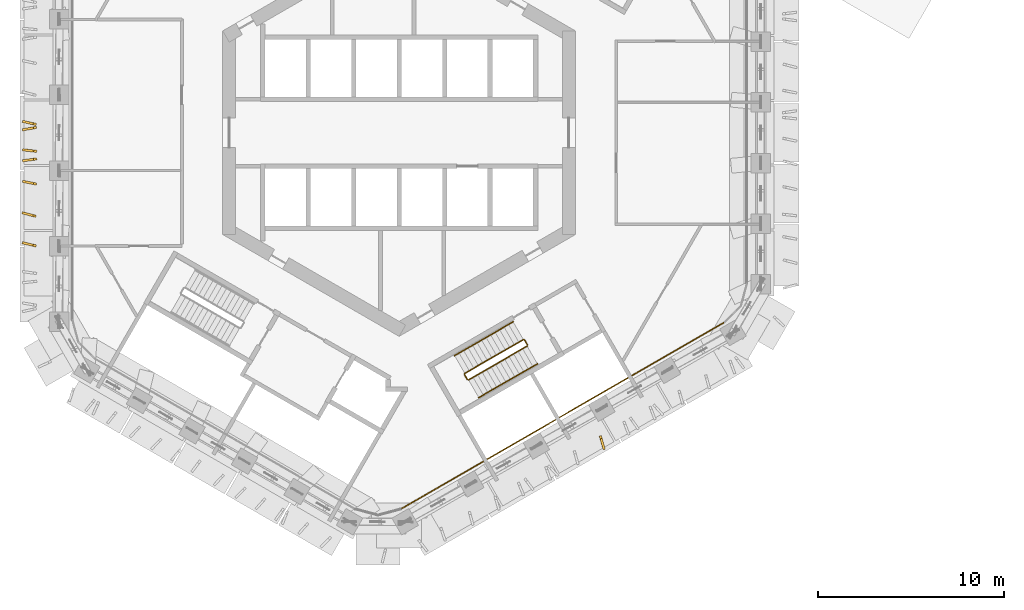
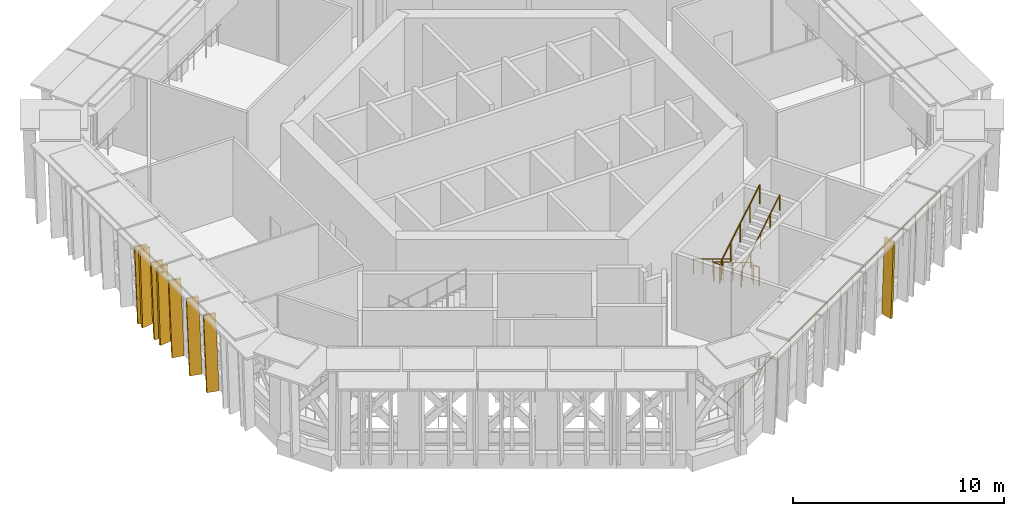
# One storey, part 15 of 18: 9 railings, 8 shading devices.
"""IFC4 building model written with IfcOpenShell, lengths in metres."""

from ifc_helpers import new_model, si_unit, direction, frame, origin, origin_2d, place, context, subcontext, project, spatial, polyline, circle, outline, extrude, material, layer, layer_set, type_object, element, save


model = new_model("IFC4")

# Units and contexts
model_context = context("Model", 3, precision=1e-05, world=origin(), true_north=direction((0.0, 1.0)))
body_context = subcontext(model_context, "Body", "Model", "MODEL_VIEW")
ifc_project = project(units=[si_unit("LENGTHUNIT", "METRE"), si_unit("AREAUNIT", "SQUARE_METRE"), si_unit("VOLUMEUNIT", "CUBIC_METRE"), si_unit("PLANEANGLEUNIT", "RADIAN"), si_unit("MASSUNIT", "GRAM", prefix="KILO")], contexts=[model_context])

# Site, building, storey
site_placement = place(None, origin())
site = spatial("IfcSite", under=ifc_project, at=site_placement, CompositionType="ELEMENT")
building_placement = place(site_placement, origin())
building = spatial("IfcBuilding", under=site, at=building_placement, Name="Ayvan Gate Tower", CompositionType="ELEMENT")
storey_placement = place(building_placement, frame((0.0, 0.0, 147.89990234375)))
storey = spatial("IfcBuildingStorey", under=building, at=storey_placement, Name="L39", CompositionType="ELEMENT", Elevation=147.89990234375)

# Shading devices
ifc_material_1 = material(Name="Bronze anodised aluminium", Category="aluminium")
ifc_layer = layer(ifc_material_1, 0.1201171875)
ifc_layer_set = layer_set([ifc_layer], Name="Bronze anodised aluminium")
shading_device_type = type_object("IfcShadingDeviceType", Name="Bronze fin 600 x 120", PredefinedType="USERDEFINED", material=ifc_layer_set)
shading_device_1_placement = place(storey_placement, frame((-19.534423828125, 0.504638671875, 0.0), z_axis=(0.220548106132, 0.975376033947, 0.000353953635), x_axis=(-0.975376095046, 0.220548119948, 0.0)))
element("IfcShadingDevice", 1, at=shading_device_1_placement, inside=storey, type_object=shading_device_type, Name="Bronze fin FG14.3.38", ObjectType="FIN", PredefinedType="USERDEFINED", context=body_context, shape_type="SweptSolid", body=[
    extrude(outline(polyline([(0.0, 0.0), (0.5999789015716179, -6.776263578034403e-21), (0.7653200529566501, 4.500000281887172), (0.16534115138503205, 4.500000281887172), (0.0, 0.0)])), origin(), (0.0, 0.0, -1.0), 0.1201171875),
])
shading_device_2_placement = place(storey_placement, frame((-19.5419921875, 0.347900390625, 0.0), z_axis=(-0.172903331996, 0.984938745323, 0.000325186988), x_axis=(-0.9849387974, -0.172903341138, 0.0)))
element("IfcShadingDevice", 2, at=shading_device_2_placement, inside=storey, type_object=shading_device_type, Name="Bronze fin FG14.3.39", ObjectType="FIN", PredefinedType="USERDEFINED", context=body_context, shape_type="SweptSolid", body=[
    extrude(outline(polyline([(0.0, 0.0), (0.600102721798952, 6.776263578034403e-21), (0.7654436275675613, 4.500000237929818), (0.16534090576860944, 4.500000237929818), (0.0, 0.0)])), origin(), (0.0, 0.0, -1.0), 0.1201171875),
])
shading_device_3_placement = place(storey_placement, frame((-19.510498046875, -0.9453125, 0.0), z_axis=(0.113110523232, 0.993582365945, 0.000302681974), x_axis=(-0.99358241146, 0.113110528414, 0.0)))
element("IfcShadingDevice", 3, at=shading_device_3_placement, inside=storey, type_object=shading_device_type, Name="Bronze fin FG14.3.40", ObjectType="FIN", PredefinedType="USERDEFINED", context=body_context, shape_type="SweptSolid", body=[
    extrude(outline(polyline([(0.0, 0.0), (0.6000422303914733, 0.0), (0.7652550747346661, 4.500000206136864), (0.16521284434319294, 4.500000206136864), (0.0, 0.0)])), origin(), (0.0, 0.0, -1.0), 0.1201171875),
])
shading_device_4_placement = place(storey_placement, frame((-19.529296875, -1.349365234375, 0.0), z_axis=(-0.132643426427, 0.991163763118, 0.000340745744), x_axis=(-0.991163820659, -0.132643434128, 0.0)))
element("IfcShadingDevice", 4, at=shading_device_4_placement, inside=storey, type_object=shading_device_type, Name="Bronze fin FG14.3.41", ObjectType="FIN", PredefinedType="USERDEFINED", context=body_context, shape_type="SweptSolid", body=[
    extrude(outline(polyline([(0.0, 0.0), (0.6000285221314199, -3.3881317890172014e-21), (0.7652662002363045, 4.500000261242263), (0.1652376781048846, 4.500000261242263), (0.0, 0.0)])), origin(), (0.0, 0.0, -1.0), 0.1201171875),
])
shading_device_5_placement = place(storey_placement, frame((-19.525390625, -2.70458984375, 0.0), z_axis=(0.18942086988, 0.981895937746, 0.000318578937), x_axis=(-0.981895987577, 0.189420879473, 6.3647e-08)))
element("IfcShadingDevice", 5, at=shading_device_5_placement, inside=storey, type_object=shading_device_type, Name="Bronze fin FG14.3.42", ObjectType="FIN", PredefinedType="USERDEFINED", context=body_context, shape_type="SweptSolid", body=[
    extrude(outline(polyline([(0.0, 0.0), (0.5999501286567561, 0.0), (0.7652925771532262, 4.500000179649718), (0.1652962031645675, 4.500000256022627), (0.0, 0.0)])), origin(), (0.0, 0.0, -1.0), 0.1201171875),
])
shading_device_6_placement = place(storey_placement, frame((-19.546630859375, -4.44677734375, 0.0), z_axis=(0.2555346374, 0.966799838315, 0.000348886923), x_axis=(-0.966799897156, 0.255534652952, 0.0)))
element("IfcShadingDevice", 6, at=shading_device_6_placement, inside=storey, type_object=shading_device_type, Name="Bronze fin FG14.3.44", ObjectType="FIN", PredefinedType="USERDEFINED", context=body_context, shape_type="SweptSolid", body=[
    extrude(outline(polyline([(0.0, 0.0), (0.5999981244375797, 0.0), (0.7654917327077029, 4.500000273874717), (0.16549360827012324, 4.500000273874717), (0.0, 0.0)])), origin(), (0.0, 0.0, -1.0), 0.1201171875),
])
shading_device_7_placement = place(storey_placement, frame((-19.5390625, -6.0419921875, 0.0), z_axis=(0.234388585469, 0.972142935219, 0.000323274594), x_axis=(-0.972142986016, 0.234388597717, 0.0)))
element("IfcShadingDevice", 7, at=shading_device_7_placement, inside=storey, type_object=shading_device_type, Name="Bronze fin FG14.3.46", ObjectType="FIN", PredefinedType="USERDEFINED", context=body_context, shape_type="SweptSolid", body=[
    extrude(outline(polyline([(0.0, 0.0), (0.5999651918646007, 6.776263578034403e-21), (0.765364563500664, 4.500000235139561), (0.16539937163606316, 4.500000235139561), (0.0, 0.0)])), origin(), (0.0, 0.0, -1.0), 0.1201171875),
])
shading_device_8_placement = place(storey_placement, frame((10.779541015625, -16.341796875, 0.0), z_axis=(-0.961661951625, -0.274237425596, 0.000353835004), x_axis=(0.27423744277, -0.961662011823, 1.9745e-08)))
element("IfcShadingDevice", 8, at=shading_device_8_placement, inside=storey, type_object=shading_device_type, Name="Bronze fin FG14.7.92", ObjectType="FIN", PredefinedType="USERDEFINED", context=body_context, shape_type="SweptSolid", body=[
    extrude(outline(polyline([(0.0, 0.0), (0.5999129322178046, -1.3552527156068805e-20), (0.7653753981919099, 4.500000266586183), (0.1652276852095, 4.5000002902809575), (0.0, 0.0)])), origin(), (0.0, 0.0, -1.0), 0.1201171875),
])

# Railings
ifc_material_2 = material(Name="Stainless steel balustrade", Category="steel")
railing_type_1 = type_object("IfcRailingType", Name="RL-GUARD-1100", PredefinedType="GUARDRAIL", material=ifc_material_2)
railing_1_placement = place(storey_placement, frame((6.6923828125, -11.1416015625, 0.171630859375)))
element("IfcRailing", 9, at=railing_1_placement, inside=storey, type_object=railing_type_1, Name="L39 STS3 stair guard 1", PredefinedType="GUARDRAIL", context=body_context, shape_type="SweptSolid", body=[
    extrude(circle(Radius=0.02392578125, at=origin_2d()), frame((0.0, 0.0, 1.076171875), z_axis=(-0.738610110021, -0.426394033464, 0.52215250033), x_axis=(0.499962438169, -0.866047089031, 0.0)), (0.0, 0.0, 1.0), 4.267822265625),
    extrude(circle(Radius=0.02099609375, at=origin_2d()), origin(), (0.0, 0.0, 1.0), 1.052001953125),
    extrude(circle(Radius=0.02099609375, at=origin_2d()), frame((-0.7880859375, -0.455078125, 0.55712890625)), (0.0, 0.0, 1.0), 1.052001953125),
    extrude(circle(Radius=0.02099609375, at=origin_2d()), frame((-1.576171875, -0.909912109375, 1.1142578125)), (0.0, 0.0, 1.0), 1.052001953125),
    extrude(circle(Radius=0.02099609375, at=origin_2d()), frame((-2.3642578125, -1.36474609375, 1.67138671875)), (0.0, 0.0, 1.0), 1.052001953125),
    extrude(circle(Radius=0.02099609375, at=origin_2d()), frame((-3.15234375, -1.81982421875, 2.228515625)), (0.0, 0.0, 1.0), 1.052001953125),
])
railing_2_placement = place(storey_placement, frame((3.521728515625, -13.02978515625, 2.400146484375)))
element("IfcRailing", 10, at=railing_2_placement, inside=storey, type_object=railing_type_1, Name="L39 STS3 stair guard 2", PredefinedType="GUARDRAIL", context=body_context, shape_type="SweptSolid", body=[
    extrude(circle(Radius=0.02392578125, at=origin_2d()), frame((0.0, 0.0, 1.076171875), z_axis=(0.499949632511, -0.866054481515, 0.0), x_axis=(0.866054481515, 0.499949632511, 0.0)), (0.0, 0.0, 1.0), 0.31005859375),
    extrude(circle(Radius=0.02099609375, at=origin_2d()), origin(), (0.0, 0.0, 1.0), 1.052001953125),
    extrude(circle(Radius=0.02099609375, at=origin_2d()), frame((0.155029296875, -0.2685546875, 0.0)), (0.0, 0.0, 1.0), 1.052001953125),
])
railing_3_placement = place(storey_placement, frame((3.7451171875, -13.316650390625, 2.571533203125)))
element("IfcRailing", 11, at=railing_3_placement, inside=storey, type_object=railing_type_1, Name="L39 STS3 stair guard 3", PredefinedType="GUARDRAIL", context=body_context, shape_type="SweptSolid", body=[
    extrude(circle(Radius=0.02392578125, at=origin_2d()), frame((0.0, 0.0, 1.076171875), z_axis=(0.738592093898, 0.426440834883, 0.522139764025), x_axis=(-0.500012742938, 0.866018046521, 0.0)), (0.0, 0.0, 1.0), 4.26806640625),
    extrude(circle(Radius=0.02099609375, at=origin_2d()), origin(), (0.0, 0.0, 1.0), 1.052001953125),
    extrude(circle(Radius=0.02099609375, at=origin_2d()), frame((0.7880859375, 0.455078125, 0.55712890625)), (0.0, 0.0, 1.0), 1.052001953125),
    extrude(circle(Radius=0.02099609375, at=origin_2d()), frame((1.576171875, 0.91015625, 1.1142578125)), (0.0, 0.0, 1.0), 1.052001953125),
    extrude(circle(Radius=0.02099609375, at=origin_2d()), frame((2.3642578125, 1.364990234375, 1.67138671875)), (0.0, 0.0, 1.0), 1.052001953125),
    extrude(circle(Radius=0.02099609375, at=origin_2d()), frame((3.15234375, 1.820068359375, 2.228515625)), (0.0, 0.0, 1.0), 1.052001953125),
])
railing_4_placement = place(storey_placement, frame((6.7607421875, -11.159912109375, 0.0)))
element("IfcRailing", 12, at=railing_4_placement, inside=storey, type_object=railing_type_1, Name="L39 STS3 stair guard 4", PredefinedType="GUARDRAIL", context=body_context, shape_type="SweptSolid", body=[
    extrude(circle(Radius=0.02392578125, at=origin_2d()), frame((0.0, 0.0, 1.076171875), z_axis=(0.500290723946, -0.86585748916, 0.0), x_axis=(0.86585748916, 0.500290723946, 0.0)), (0.0, 0.0, 1.0), 0.309814453125),
    extrude(circle(Radius=0.02099609375, at=origin_2d()), origin(), (0.0, 0.0, 1.0), 1.052001953125),
    extrude(circle(Radius=0.02099609375, at=origin_2d()), frame((0.155029296875, -0.268310546875, 0.0)), (0.0, 0.0, 1.0), 1.052001953125),
])
railing_type_2 = type_object("IfcRailingType", Name="RL-HANDRAIL-900", PredefinedType="HANDRAIL", material=ifc_material_2)
for number, where, name in (
    (13, (6.142333984375, -10.18896484375, 0.171630859375), "L39 STS3 stair handrail 1"),
    (14, (4.566162109375, -11.098876953125, 1.285888671875), "L39 STS3 stair handrail 2"),
):
    element("IfcRailing", number, at=place(storey_placement, frame(where)), inside=storey, type_object=railing_type_2, Name=name, PredefinedType="HANDRAIL", context=body_context, shape_type="SweptSolid", body=[
        extrude(circle(Radius=0.02392578125, at=origin_2d()), frame((0.0, 0.0, 0.8759765625), z_axis=(-0.738610110021, -0.426394033464, 0.52215250033), x_axis=(0.499962438169, -0.866047089031, 0.0)), (0.0, 0.0, 1.0), 2.134033203125),
        extrude(circle(Radius=0.02099609375, at=origin_2d()), origin(), (0.0, 0.0, 1.0), 0.851806640625),
        extrude(circle(Radius=0.02099609375, at=origin_2d()), frame((-0.7880859375, -0.455078125, 0.55712890625)), (0.0, 0.0, 1.0), 0.851806640625),
        extrude(circle(Radius=0.02099609375, at=origin_2d()), frame((-1.576171875, -0.909912109375, 1.1142578125)), (0.0, 0.0, 1.0), 0.851806640625),
    ])
railing_5_placement = place(storey_placement, frame((4.294921875, -14.269287109375, 2.571533203125)))
element("IfcRailing", 15, at=railing_5_placement, inside=storey, type_object=railing_type_2, Name="L39 STS3 stair handrail 3", PredefinedType="HANDRAIL", context=body_context, shape_type="SweptSolid", body=[
    extrude(circle(Radius=0.02392578125, at=origin_2d()), frame((0.0, 0.0, 0.8759765625), z_axis=(0.738574076676, 0.426487632876, 0.522127026944), x_axis=(-0.500063042646, 0.865989003036, 0.0)), (0.0, 0.0, 1.0), 2.134033203125),
    extrude(circle(Radius=0.02099609375, at=origin_2d()), origin(), (0.0, 0.0, 1.0), 0.851806640625),
    extrude(circle(Radius=0.02099609375, at=origin_2d()), frame((0.7880859375, 0.455078125, 0.55712890625)), (0.0, 0.0, 1.0), 0.851806640625),
    extrude(circle(Radius=0.02099609375, at=origin_2d()), frame((1.576171875, 0.91015625, 1.1142578125)), (0.0, 0.0, 1.0), 0.851806640625),
])
railing_6_placement = place(storey_placement, frame((5.87109375, -13.359130859375, 3.685791015625)))
element("IfcRailing", 16, at=railing_6_placement, inside=storey, type_object=railing_type_2, Name="L39 STS3 stair handrail 4", PredefinedType="HANDRAIL", context=body_context, shape_type="SweptSolid", body=[
    extrude(circle(Radius=0.02392578125, at=origin_2d()), frame((0.0, 0.0, 0.8759765625), z_axis=(0.738610110021, 0.426394033464, 0.52215250033), x_axis=(-0.499962438169, 0.866047089031, 0.0)), (0.0, 0.0, 1.0), 2.134033203125),
    extrude(circle(Radius=0.02099609375, at=origin_2d()), origin(), (0.0, 0.0, 1.0), 0.851806640625),
    extrude(circle(Radius=0.02099609375, at=origin_2d()), frame((0.7880859375, 0.455078125, 0.55712890625)), (0.0, 0.0, 1.0), 0.851806640625),
    extrude(circle(Radius=0.02099609375, at=origin_2d()), frame((1.576171875, 0.909912109375, 1.1142578125)), (0.0, 0.0, 1.0), 0.851806640625),
])
ifc_material_3 = material(Name="Stainless steel 316 and laminated glass", Category="steel")
railing_type_3 = type_object("IfcRailingType", Name="Refuge band guard 1100", PredefinedType="GUARDRAIL", material=ifc_material_3)
railing_7_placement = place(storey_placement, frame((0.079345703125, -20.281982421875, 0.0)))
element("IfcRailing", 17, at=railing_7_placement, inside=storey, type_object=railing_type_3, Name="Refuge band guard L39.7", PredefinedType="GUARDRAIL", context=body_context, shape_type="SweptSolid", body=[
    extrude(circle(Radius=0.02490234375, at=origin_2d()), frame((0.0, 0.0, 1.0751953125), z_axis=(0.866026954707, 0.499997313714, 0.0), x_axis=(-0.499997313714, 0.866026954707, 0.0)), (0.0, 0.0, 1.0), 20.14453125),
    extrude(circle(Radius=0.02001953125, at=origin_2d()), origin(), (0.0, 0.0, 1.0), 1.050048828125),
    extrude(circle(Radius=0.02001953125, at=origin_2d()), frame((1.026123046875, 0.592529296875, 0.0)), (0.0, 0.0, 1.0), 1.050048828125),
    extrude(circle(Radius=0.02001953125, at=origin_2d()), frame((2.052490234375, 1.18505859375, 0.0)), (0.0, 0.0, 1.0), 1.050048828125),
    extrude(circle(Radius=0.02001953125, at=origin_2d()), frame((3.07861328125, 1.77734375, 0.0)), (0.0, 0.0, 1.0), 1.050048828125),
    extrude(circle(Radius=0.02001953125, at=origin_2d()), frame((4.10498046875, 2.369873046875, 0.0)), (0.0, 0.0, 1.0), 1.050048828125),
    extrude(circle(Radius=0.02001953125, at=origin_2d()), frame((5.131103515625, 2.96240234375, 0.0)), (0.0, 0.0, 1.0), 1.050048828125),
    extrude(circle(Radius=0.02001953125, at=origin_2d()), frame((6.1572265625, 3.554931640625, 0.0)), (0.0, 0.0, 1.0), 1.050048828125),
    extrude(circle(Radius=0.02001953125, at=origin_2d()), frame((7.18359375, 4.1474609375, 0.0)), (0.0, 0.0, 1.0), 1.050048828125),
    extrude(circle(Radius=0.02001953125, at=origin_2d()), frame((8.209716796875, 4.739990234375, 0.0)), (0.0, 0.0, 1.0), 1.050048828125),
    extrude(circle(Radius=0.02001953125, at=origin_2d()), frame((9.236083984375, 5.332275390625, 0.0)), (0.0, 0.0, 1.0), 1.050048828125),
    extrude(circle(Radius=0.02001953125, at=origin_2d()), frame((10.26220703125, 5.9248046875, 0.0)), (0.0, 0.0, 1.0), 1.050048828125),
    extrude(circle(Radius=0.02001953125, at=origin_2d()), frame((11.28857421875, 6.517333984375, 0.0)), (0.0, 0.0, 1.0), 1.050048828125),
    extrude(circle(Radius=0.02001953125, at=origin_2d()), frame((12.314697265625, 7.10986328125, 0.0)), (0.0, 0.0, 1.0), 1.050048828125),
    extrude(circle(Radius=0.02001953125, at=origin_2d()), frame((13.3408203125, 7.702392578125, 0.0)), (0.0, 0.0, 1.0), 1.050048828125),
    extrude(circle(Radius=0.02001953125, at=origin_2d()), frame((14.3671875, 8.294921875, 0.0)), (0.0, 0.0, 1.0), 1.050048828125),
    extrude(circle(Radius=0.02001953125, at=origin_2d()), frame((15.393310546875, 8.88720703125, 0.0)), (0.0, 0.0, 1.0), 1.050048828125),
    extrude(circle(Radius=0.02001953125, at=origin_2d()), frame((16.419677734375, 9.479736328125, 0.0)), (0.0, 0.0, 1.0), 1.050048828125),
    extrude(circle(Radius=0.02001953125, at=origin_2d()), frame((17.44580078125, 10.072265625, 0.0)), (0.0, 0.0, 1.0), 1.050048828125),
])

save(model, "model.ifc")
